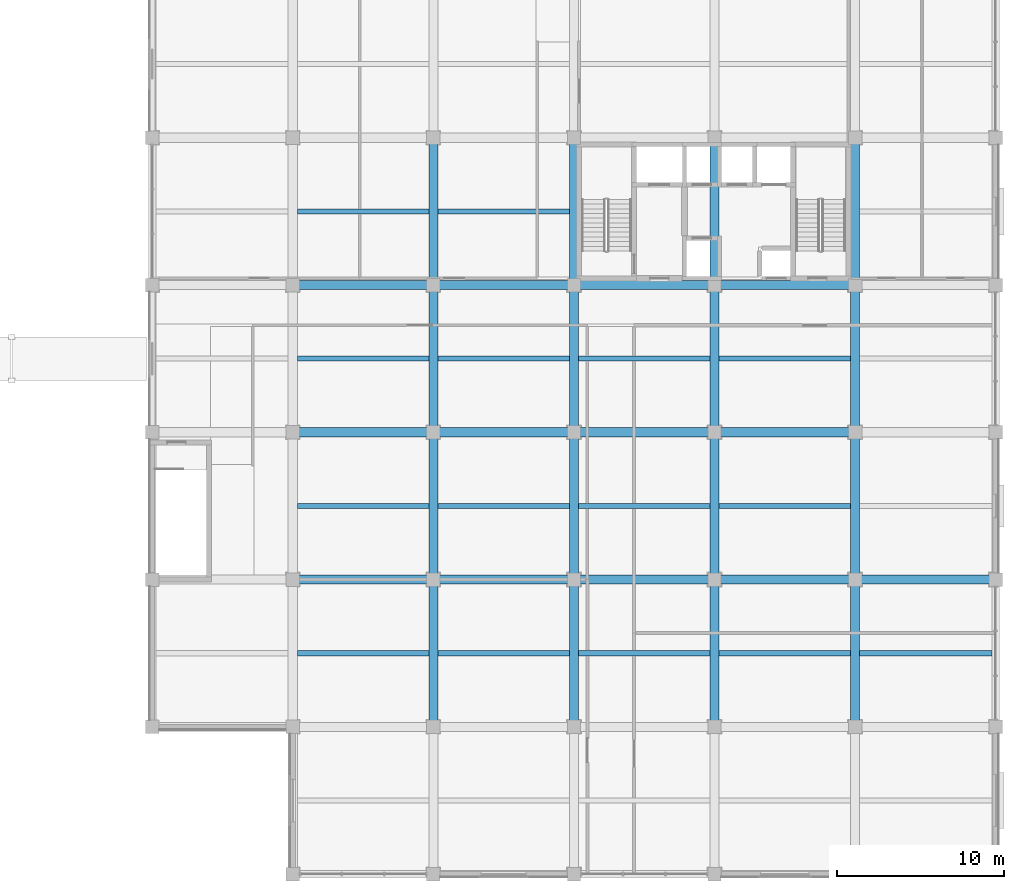
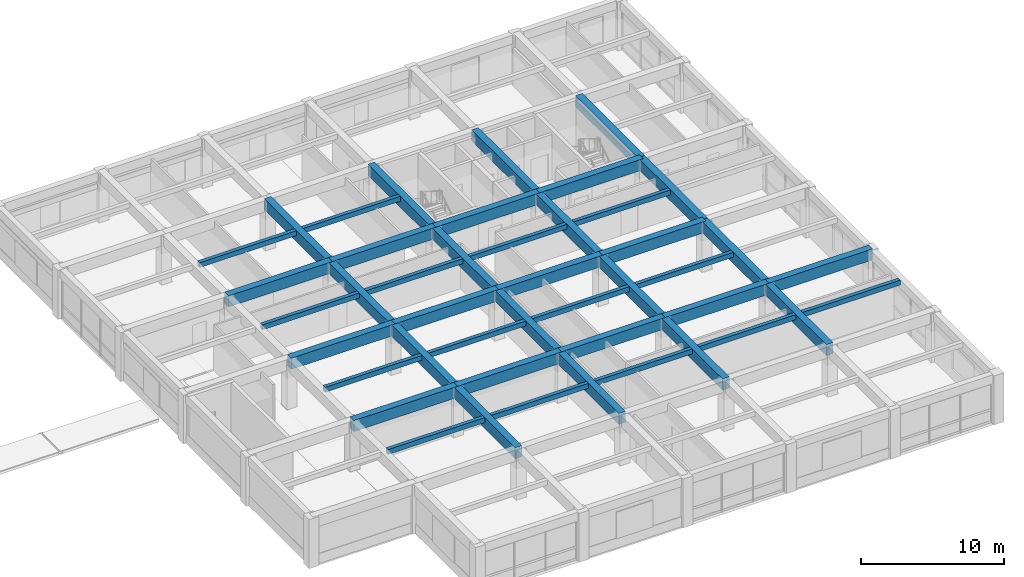
# One storey, part 21 of 46: 44 beams.
"""IFC4 building model written with IfcOpenShell, lengths in metres."""

from ifc_helpers import new_model, si_unit, direction, frame, origin, origin_2d, place, context, subcontext, project, spatial, rectangle, extrude, material, material_profile, profile_set, type_object, element, save


model = new_model("IFC4")

# Units and contexts
model_context = context("Model", 3, precision=1e-05, world=origin(), true_north=direction((0.0, 1.0)))
body_context = subcontext(model_context, "Body", "Model", "MODEL_VIEW")
ifc_project = project(units=[si_unit("LENGTHUNIT", "METRE"), si_unit("AREAUNIT", "SQUARE_METRE"), si_unit("VOLUMEUNIT", "CUBIC_METRE"), si_unit("PLANEANGLEUNIT", "RADIAN"), si_unit("MASSUNIT", "GRAM", prefix="KILO")], contexts=[model_context])

# Site, building, storey
site_placement = place(None, origin())
site = spatial("IfcSite", under=ifc_project, at=site_placement, CompositionType="ELEMENT")
building_placement = place(site_placement, origin())
building = spatial("IfcBuilding", under=site, at=building_placement, Name="Kemercrest Conservatory and Botanical Centre", CompositionType="ELEMENT")
storey_placement = place(building_placement, frame((0.0, 0.0, 9.0)))
storey = spatial("IfcBuildingStorey", under=building, at=storey_placement, Name="L02", CompositionType="ELEMENT", Elevation=9.0)

# Beams
ifc_material_1 = material(Name="Concrete C50/60", Category="concrete")
ifc_material_profile_1 = material_profile(ifc_material_1, rectangle(XDim=0.550048828125, YDim=0.949951171875, at=origin_2d()), Name="RC 550x950")
ifc_profile_set_1 = profile_set([ifc_material_profile_1], Name="Concrete C50/60")
beam_type_1 = type_object("IfcBeamType", Name="BM-RC95", PredefinedType="BEAM", material=ifc_profile_set_1)
beam_1_placement = place(storey_placement, frame((134.0, 87.199951171875, 3.72509765625), z_axis=(1.0, 0.0, 0.0), x_axis=(0.0, 1.0, 0.0)))
element("IfcBeam", 1, at=beam_1_placement, inside=storey, type_object=beam_type_1, Name="V4-L03 beam BM-RC95 K/16-17", PredefinedType="BEAM", context=body_context, shape_type="SweptSolid", body=[
    extrude(rectangle(XDim=0.550048828125, YDim=0.949951171875, at=origin_2d()), origin(), (0.0, 0.0, 1.0), 8.39990234375),
])
beam_2_placement = place(storey_placement, frame((142.39990234375, 87.199951171875, 3.72509765625), z_axis=(1.0, 0.0, 0.0), x_axis=(0.0, 1.0, 0.0)))
element("IfcBeam", 2, at=beam_2_placement, inside=storey, type_object=beam_type_1, Name="V4-L03 beam BM-RC95 K/17-18", PredefinedType="BEAM", context=body_context, shape_type="SweptSolid", body=[
    extrude(rectangle(XDim=0.550048828125, YDim=0.949951171875, at=origin_2d()), origin(), (0.0, 0.0, 1.0), 8.400146484375),
])
beam_3_placement = place(storey_placement, frame((150.800048828125, 87.199951171875, 3.72509765625), z_axis=(1.0, 0.0, 0.0), x_axis=(0.0, 1.0, 0.0)))
element("IfcBeam", 3, at=beam_3_placement, inside=storey, type_object=beam_type_1, Name="V4-L03 beam BM-RC95 K/18-19", PredefinedType="BEAM", context=body_context, shape_type="SweptSolid", body=[
    extrude(rectangle(XDim=0.550048828125, YDim=0.949951171875, at=origin_2d()), origin(), (0.0, 0.0, 1.0), 8.39990234375),
])
beam_4_placement = place(storey_placement, frame((159.199951171875, 87.199951171875, 3.72509765625), z_axis=(1.0, 0.0, 0.0), x_axis=(0.0, 1.0, 0.0)))
element("IfcBeam", 4, at=beam_4_placement, inside=storey, type_object=beam_type_1, Name="V4-L03 beam BM-RC95 K/19-20", PredefinedType="BEAM", context=body_context, shape_type="SweptSolid", body=[
    extrude(rectangle(XDim=0.550048828125, YDim=0.949951171875, at=origin_2d()), origin(), (0.0, 0.0, 1.0), 8.400146484375),
])
for number, where, z_axis, x_axis, name in (
    (5, (167.60009765625, 87.199951171875, 3.72509765625), (1.0, 0.0, 0.0), (0.0, 1.0, 0.0), "V4-L03 beam BM-RC95 K/20-21"),
    (6, (134.0, 96.0, 3.72509765625), (1.0, 0.0, 0.0), (0.0, 1.0, 0.0), "V4-L03 beam BM-RC95 L/16-17"),
):
    element("IfcBeam", number, at=place(storey_placement, frame(where, z_axis=z_axis, x_axis=x_axis)), inside=storey, type_object=beam_type_1, Name=name, PredefinedType="BEAM", context=body_context, shape_type="SweptSolid", body=[
        extrude(rectangle(XDim=0.550048828125, YDim=0.949951171875, at=origin_2d()), origin(), (0.0, 0.0, 1.0), 8.39990234375),
    ])
beam_5_placement = place(storey_placement, frame((142.39990234375, 96.0, 3.72509765625), z_axis=(1.0, 0.0, 0.0), x_axis=(0.0, 1.0, 0.0)))
element("IfcBeam", 7, at=beam_5_placement, inside=storey, type_object=beam_type_1, Name="V4-L03 beam BM-RC95 L/17-18", PredefinedType="BEAM", context=body_context, shape_type="SweptSolid", body=[
    extrude(rectangle(XDim=0.550048828125, YDim=0.949951171875, at=origin_2d()), origin(), (0.0, 0.0, 1.0), 8.400146484375),
])
beam_6_placement = place(storey_placement, frame((150.800048828125, 96.0, 3.72509765625), z_axis=(1.0, 0.0, 0.0), x_axis=(0.0, 1.0, 0.0)))
element("IfcBeam", 8, at=beam_6_placement, inside=storey, type_object=beam_type_1, Name="V4-L03 beam BM-RC95 L/18-19", PredefinedType="BEAM", context=body_context, shape_type="SweptSolid", body=[
    extrude(rectangle(XDim=0.550048828125, YDim=0.949951171875, at=origin_2d()), origin(), (0.0, 0.0, 1.0), 8.39990234375),
])
beam_7_placement = place(storey_placement, frame((159.199951171875, 96.0, 3.72509765625), z_axis=(1.0, 0.0, 0.0), x_axis=(0.0, 1.0, 0.0)))
element("IfcBeam", 9, at=beam_7_placement, inside=storey, type_object=beam_type_1, Name="V4-L03 beam BM-RC95 L/19-20", PredefinedType="BEAM", context=body_context, shape_type="SweptSolid", body=[
    extrude(rectangle(XDim=0.550048828125, YDim=0.949951171875, at=origin_2d()), origin(), (0.0, 0.0, 1.0), 8.400146484375),
])
beam_8_placement = place(storey_placement, frame((134.0, 104.800048828125, 3.72509765625), z_axis=(1.0, 0.0, 0.0), x_axis=(0.0, 1.0, 0.0)))
element("IfcBeam", 10, at=beam_8_placement, inside=storey, type_object=beam_type_1, Name="V4-L03 beam BM-RC95 M/16-17", PredefinedType="BEAM", context=body_context, shape_type="SweptSolid", body=[
    extrude(rectangle(XDim=0.550048828125, YDim=0.949951171875, at=origin_2d()), origin(), (0.0, 0.0, 1.0), 8.39990234375),
])
beam_9_placement = place(storey_placement, frame((142.39990234375, 104.800048828125, 3.72509765625), z_axis=(1.0, 0.0, 0.0), x_axis=(0.0, 1.0, 0.0)))
element("IfcBeam", 11, at=beam_9_placement, inside=storey, type_object=beam_type_1, Name="V4-L03 beam BM-RC95 M/17-18", PredefinedType="BEAM", context=body_context, shape_type="SweptSolid", body=[
    extrude(rectangle(XDim=0.550048828125, YDim=0.949951171875, at=origin_2d()), origin(), (0.0, 0.0, 1.0), 8.400146484375),
])
beam_10_placement = place(storey_placement, frame((150.800048828125, 104.800048828125, 3.72509765625), z_axis=(1.0, 0.0, 0.0), x_axis=(0.0, 1.0, 0.0)))
element("IfcBeam", 12, at=beam_10_placement, inside=storey, type_object=beam_type_1, Name="V4-L03 beam BM-RC95 M/18-19", PredefinedType="BEAM", context=body_context, shape_type="SweptSolid", body=[
    extrude(rectangle(XDim=0.550048828125, YDim=0.949951171875, at=origin_2d()), origin(), (0.0, 0.0, 1.0), 8.39990234375),
])
beam_11_placement = place(storey_placement, frame((159.199951171875, 104.800048828125, 3.72509765625), z_axis=(1.0, 0.0, 0.0), x_axis=(0.0, 1.0, 0.0)))
element("IfcBeam", 13, at=beam_11_placement, inside=storey, type_object=beam_type_1, Name="V4-L03 beam BM-RC95 M/19-20", PredefinedType="BEAM", context=body_context, shape_type="SweptSolid", body=[
    extrude(rectangle(XDim=0.550048828125, YDim=0.949951171875, at=origin_2d()), origin(), (0.0, 0.0, 1.0), 8.400146484375),
])
for number, where, z_axis, x_axis, name in (
    (14, (142.39990234375, 78.39990234375, 3.72509765625), (0.0, 1.0, 0.0), (-1.0, 0.0, 0.0), "V4-L03 beam BM-RC95 17/J-K"),
    (15, (142.39990234375, 87.199951171875, 3.72509765625), (0.0, 1.0, 0.0), (-1.0, 0.0, 0.0), "V4-L03 beam BM-RC95 17/K-L"),
    (16, (142.39990234375, 96.0, 3.72509765625), (0.0, 1.0, 0.0), (-1.0, 0.0, 0.0), "V4-L03 beam BM-RC95 17/L-M"),
    (17, (142.39990234375, 104.800048828125, 3.72509765625), (0.0, 1.0, 0.0), (-1.0, 0.0, 0.0), "V4-L03 beam BM-RC95 17/M-N"),
    (18, (150.800048828125, 78.39990234375, 3.72509765625), (0.0, 1.0, 0.0), (-1.0, 0.0, 0.0), "V4-L03 beam BM-RC95 18/J-K"),
    (19, (150.800048828125, 87.199951171875, 3.72509765625), (0.0, 1.0, 0.0), (-1.0, 0.0, 0.0), "V4-L03 beam BM-RC95 18/K-L"),
    (20, (150.800048828125, 96.0, 3.72509765625), (0.0, 1.0, 0.0), (-1.0, 0.0, 0.0), "V4-L03 beam BM-RC95 18/L-M"),
    (21, (150.800048828125, 104.800048828125, 3.72509765625), (0.0, 1.0, 0.0), (-1.0, 0.0, 0.0), "V4-L03 beam BM-RC95 18/M-N"),
    (22, (159.199951171875, 78.39990234375, 3.72509765625), (0.0, 1.0, 0.0), (-1.0, 0.0, 0.0), "V4-L03 beam BM-RC95 19/J-K"),
    (23, (159.199951171875, 87.199951171875, 3.72509765625), (0.0, 1.0, 0.0), (-1.0, 0.0, 0.0), "V4-L03 beam BM-RC95 19/K-L"),
    (24, (159.199951171875, 96.0, 3.72509765625), (0.0, 1.0, 0.0), (-1.0, 0.0, 0.0), "V4-L03 beam BM-RC95 19/L-M"),
    (25, (159.199951171875, 104.800048828125, 3.72509765625), (0.0, 1.0, 0.0), (-1.0, 0.0, 0.0), "V4-L03 beam BM-RC95 19/M-N"),
    (26, (167.60009765625, 78.39990234375, 3.72509765625), (0.0, 1.0, 0.0), (-1.0, 0.0, 0.0), "V4-L03 beam BM-RC95 20/J-K"),
    (27, (167.60009765625, 87.199951171875, 3.72509765625), (0.0, 1.0, 0.0), (-1.0, 0.0, 0.0), "V4-L03 beam BM-RC95 20/K-L"),
    (28, (167.60009765625, 96.0, 3.72509765625), (0.0, 1.0, 0.0), (-1.0, 0.0, 0.0), "V4-L03 beam BM-RC95 20/L-M"),
    (29, (167.60009765625, 104.800048828125, 3.72509765625), (0.0, 1.0, 0.0), (-1.0, 0.0, 0.0), "V4-L03 beam BM-RC95 20/M-N"),
):
    element("IfcBeam", number, at=place(storey_placement, frame(where, z_axis=z_axis, x_axis=x_axis)), inside=storey, type_object=beam_type_1, Name=name, PredefinedType="BEAM", context=body_context, shape_type="SweptSolid", body=[
        extrude(rectangle(XDim=0.550048828125, YDim=0.949951171875, at=origin_2d()), origin(), (0.0, 0.0, 1.0), 8.800048828125),
    ])
ifc_material_2 = material(Name="Concrete C40/50", Category="concrete")
ifc_material_profile_2 = material_profile(ifc_material_2, rectangle(XDim=0.300048828125, YDim=0.419921875, at=origin_2d()), Name="RC 300x420")
ifc_profile_set_2 = profile_set([ifc_material_profile_2], Name="Concrete C40/50")
beam_type_2 = type_object("IfcBeamType", Name="JS-RC42", PredefinedType="JOIST", material=ifc_profile_set_2)
beam_12_placement = place(storey_placement, frame((134.27490234375, 82.800048828125, 3.989990234375), z_axis=(1.0, 0.0, 0.0), x_axis=(0.0, 1.0, 0.0)))
element("IfcBeam", 30, at=beam_12_placement, inside=storey, type_object=beam_type_2, Name="V4-L03 secondary joist JS-RC42", PredefinedType="JOIST", context=body_context, shape_type="SweptSolid", body=[
    extrude(rectangle(XDim=0.300048828125, YDim=0.419921875, at=origin_2d()), origin(), (0.0, 0.0, 1.0), 7.85009765625),
])
beam_13_placement = place(storey_placement, frame((142.675048828125, 82.800048828125, 3.989990234375), z_axis=(1.0, 0.0, 0.0), x_axis=(0.0, 1.0, 0.0)))
element("IfcBeam", 31, at=beam_13_placement, inside=storey, type_object=beam_type_2, Name="V4-L03 secondary joist JS-RC42", PredefinedType="JOIST", context=body_context, shape_type="SweptSolid", body=[
    extrude(rectangle(XDim=0.300048828125, YDim=0.419921875, at=origin_2d()), origin(), (0.0, 0.0, 1.0), 7.849853515625),
])
beam_14_placement = place(storey_placement, frame((151.074951171875, 82.800048828125, 3.989990234375), z_axis=(1.0, 0.0, 0.0), x_axis=(0.0, 1.0, 0.0)))
element("IfcBeam", 32, at=beam_14_placement, inside=storey, type_object=beam_type_2, Name="V4-L03 secondary joist JS-RC42", PredefinedType="JOIST", context=body_context, shape_type="SweptSolid", body=[
    extrude(rectangle(XDim=0.300048828125, YDim=0.419921875, at=origin_2d()), origin(), (0.0, 0.0, 1.0), 7.85009765625),
])
beam_15_placement = place(storey_placement, frame((159.47509765625, 82.800048828125, 3.989990234375), z_axis=(1.0, 0.0, 0.0), x_axis=(0.0, 1.0, 0.0)))
element("IfcBeam", 33, at=beam_15_placement, inside=storey, type_object=beam_type_2, Name="V4-L03 secondary joist JS-RC42", PredefinedType="JOIST", context=body_context, shape_type="SweptSolid", body=[
    extrude(rectangle(XDim=0.300048828125, YDim=0.419921875, at=origin_2d()), origin(), (0.0, 0.0, 1.0), 7.849853515625),
])
beam_16_placement = place(storey_placement, frame((167.875, 82.800048828125, 3.989990234375), z_axis=(1.0, 0.0, 0.0), x_axis=(0.0, 1.0, 0.0)))
element("IfcBeam", 34, at=beam_16_placement, inside=storey, type_object=beam_type_2, Name="V4-L03 secondary joist JS-RC42", PredefinedType="JOIST", context=body_context, shape_type="SweptSolid", body=[
    extrude(rectangle(XDim=0.300048828125, YDim=0.419921875, at=origin_2d()), origin(), (0.0, 0.0, 1.0), 7.89990234375),
])
beam_17_placement = place(storey_placement, frame((134.27490234375, 91.60009765625, 3.989990234375), z_axis=(1.0, 0.0, 0.0), x_axis=(0.0, 1.0, 0.0)))
element("IfcBeam", 35, at=beam_17_placement, inside=storey, type_object=beam_type_2, Name="V4-L03 secondary joist JS-RC42", PredefinedType="JOIST", context=body_context, shape_type="SweptSolid", body=[
    extrude(rectangle(XDim=0.300048828125, YDim=0.419921875, at=origin_2d()), origin(), (0.0, 0.0, 1.0), 7.85009765625),
])
beam_18_placement = place(storey_placement, frame((142.675048828125, 91.60009765625, 3.989990234375), z_axis=(1.0, 0.0, 0.0), x_axis=(0.0, 1.0, 0.0)))
element("IfcBeam", 36, at=beam_18_placement, inside=storey, type_object=beam_type_2, Name="V4-L03 secondary joist JS-RC42", PredefinedType="JOIST", context=body_context, shape_type="SweptSolid", body=[
    extrude(rectangle(XDim=0.300048828125, YDim=0.419921875, at=origin_2d()), origin(), (0.0, 0.0, 1.0), 7.849853515625),
])
beam_19_placement = place(storey_placement, frame((151.074951171875, 91.60009765625, 3.989990234375), z_axis=(1.0, 0.0, 0.0), x_axis=(0.0, 1.0, 0.0)))
element("IfcBeam", 37, at=beam_19_placement, inside=storey, type_object=beam_type_2, Name="V4-L03 secondary joist JS-RC42", PredefinedType="JOIST", context=body_context, shape_type="SweptSolid", body=[
    extrude(rectangle(XDim=0.300048828125, YDim=0.419921875, at=origin_2d()), origin(), (0.0, 0.0, 1.0), 7.85009765625),
])
beam_20_placement = place(storey_placement, frame((159.47509765625, 91.60009765625, 3.989990234375), z_axis=(1.0, 0.0, 0.0), x_axis=(0.0, 1.0, 0.0)))
element("IfcBeam", 38, at=beam_20_placement, inside=storey, type_object=beam_type_2, Name="V4-L03 secondary joist JS-RC42", PredefinedType="JOIST", context=body_context, shape_type="SweptSolid", body=[
    extrude(rectangle(XDim=0.300048828125, YDim=0.419921875, at=origin_2d()), origin(), (0.0, 0.0, 1.0), 7.849853515625),
])
beam_21_placement = place(storey_placement, frame((134.27490234375, 100.39990234375, 3.989990234375), z_axis=(1.0, 0.0, 0.0), x_axis=(0.0, 1.0, 0.0)))
element("IfcBeam", 39, at=beam_21_placement, inside=storey, type_object=beam_type_2, Name="V4-L03 secondary joist JS-RC42", PredefinedType="JOIST", context=body_context, shape_type="SweptSolid", body=[
    extrude(rectangle(XDim=0.300048828125, YDim=0.419921875, at=origin_2d()), origin(), (0.0, 0.0, 1.0), 7.85009765625),
])
beam_22_placement = place(storey_placement, frame((142.675048828125, 100.39990234375, 3.989990234375), z_axis=(1.0, 0.0, 0.0), x_axis=(0.0, 1.0, 0.0)))
element("IfcBeam", 40, at=beam_22_placement, inside=storey, type_object=beam_type_2, Name="V4-L03 secondary joist JS-RC42", PredefinedType="JOIST", context=body_context, shape_type="SweptSolid", body=[
    extrude(rectangle(XDim=0.300048828125, YDim=0.419921875, at=origin_2d()), origin(), (0.0, 0.0, 1.0), 7.849853515625),
])
beam_23_placement = place(storey_placement, frame((151.074951171875, 100.39990234375, 3.989990234375), z_axis=(1.0, 0.0, 0.0), x_axis=(0.0, 1.0, 0.0)))
element("IfcBeam", 41, at=beam_23_placement, inside=storey, type_object=beam_type_2, Name="V4-L03 secondary joist JS-RC42", PredefinedType="JOIST", context=body_context, shape_type="SweptSolid", body=[
    extrude(rectangle(XDim=0.300048828125, YDim=0.419921875, at=origin_2d()), origin(), (0.0, 0.0, 1.0), 7.85009765625),
])
beam_24_placement = place(storey_placement, frame((159.47509765625, 100.39990234375, 3.989990234375), z_axis=(1.0, 0.0, 0.0), x_axis=(0.0, 1.0, 0.0)))
element("IfcBeam", 42, at=beam_24_placement, inside=storey, type_object=beam_type_2, Name="V4-L03 secondary joist JS-RC42", PredefinedType="JOIST", context=body_context, shape_type="SweptSolid", body=[
    extrude(rectangle(XDim=0.300048828125, YDim=0.419921875, at=origin_2d()), origin(), (0.0, 0.0, 1.0), 7.849853515625),
])
beam_25_placement = place(storey_placement, frame((134.27490234375, 109.199951171875, 3.989990234375), z_axis=(1.0, 0.0, 0.0), x_axis=(0.0, 1.0, 0.0)))
element("IfcBeam", 43, at=beam_25_placement, inside=storey, type_object=beam_type_2, Name="V4-L03 secondary joist JS-RC42", PredefinedType="JOIST", context=body_context, shape_type="SweptSolid", body=[
    extrude(rectangle(XDim=0.300048828125, YDim=0.419921875, at=origin_2d()), origin(), (0.0, 0.0, 1.0), 7.85009765625),
])
beam_26_placement = place(storey_placement, frame((142.675048828125, 109.199951171875, 3.989990234375), z_axis=(1.0, 0.0, 0.0), x_axis=(0.0, 1.0, 0.0)))
element("IfcBeam", 44, at=beam_26_placement, inside=storey, type_object=beam_type_2, Name="V4-L03 secondary joist JS-RC42", PredefinedType="JOIST", context=body_context, shape_type="SweptSolid", body=[
    extrude(rectangle(XDim=0.300048828125, YDim=0.419921875, at=origin_2d()), origin(), (0.0, 0.0, 1.0), 7.849853515625),
])

save(model, "model.ifc")
